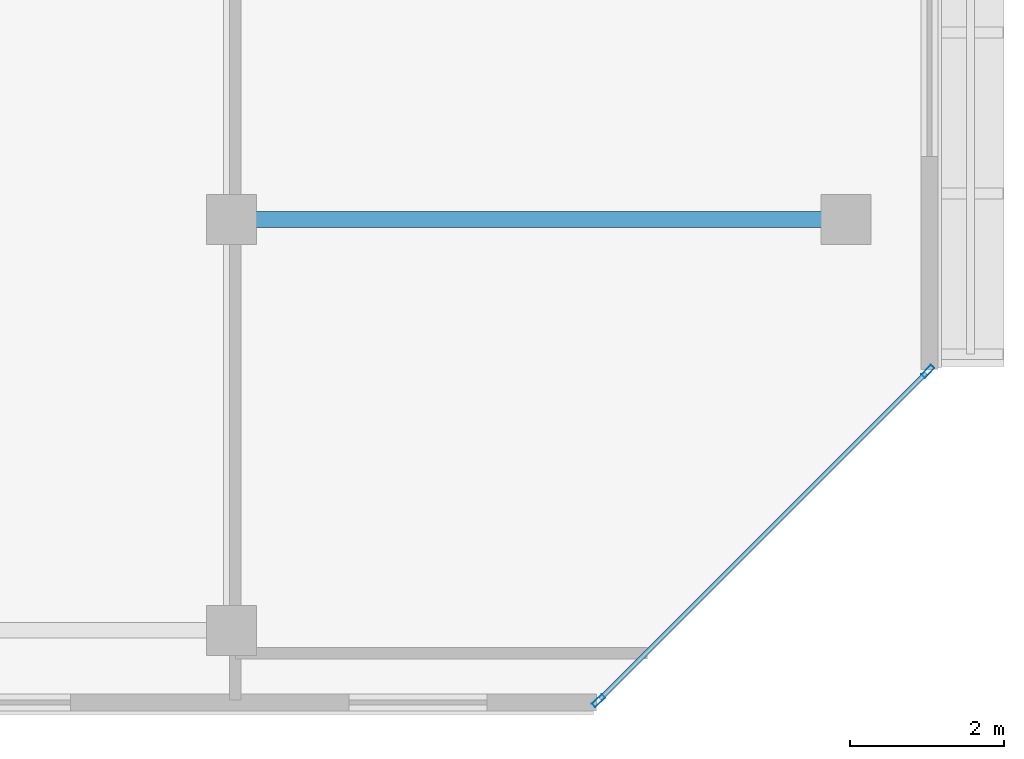
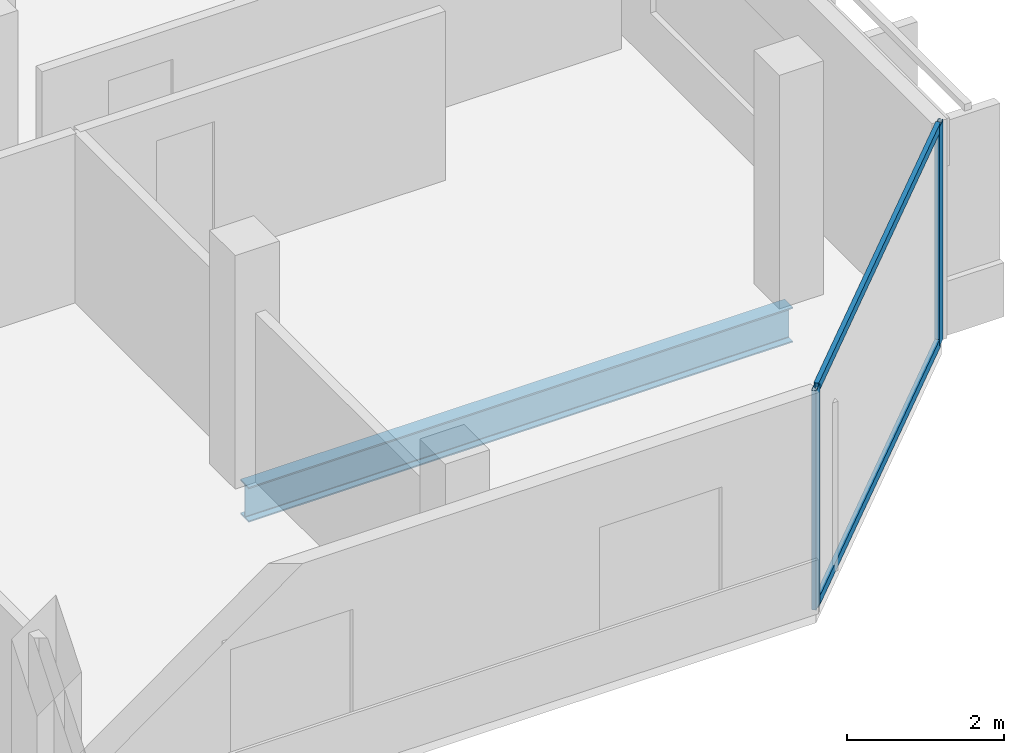
# One storey, part 16 of 28: 4 members, 1 beam, 1 element without a shape of its own.
"""IFC4 building model written with IfcOpenShell, lengths in metres."""

from ifc_helpers import new_model, si_unit, direction, frame, origin, origin_2d, place, context, subcontext, project, spatial, hollow_rectangle, i_section, extrude, material, layer, layer_set, material_profile, profile_set, type_object, element, aggregate, save


model = new_model("IFC4")

# Units and contexts
model_context = context("Model", 3, precision=1e-05, world=origin(), true_north=direction((0.0, 1.0)))
body_context = subcontext(model_context, "Body", "Model", "MODEL_VIEW")
ifc_project = project(units=[si_unit("LENGTHUNIT", "METRE"), si_unit("AREAUNIT", "SQUARE_METRE"), si_unit("VOLUMEUNIT", "CUBIC_METRE"), si_unit("PLANEANGLEUNIT", "RADIAN"), si_unit("MASSUNIT", "GRAM", prefix="KILO")], contexts=[model_context])

# Site, building, storey
site_placement = place(None, origin())
site = spatial("IfcSite", under=ifc_project, at=site_placement, CompositionType="ELEMENT")
building_placement = place(site_placement, origin())
building = spatial("IfcBuilding", under=site, at=building_placement, Name="Tanjung Sevakor Pilgrim Tower", CompositionType="ELEMENT")
storey_placement = place(building_placement, frame((0.0, 0.0, 246.179931640625)))
storey = spatial("IfcBuildingStorey", under=building, at=storey_placement, Name="L69", CompositionType="ELEMENT", Elevation=246.179931640625)

# Beam
ifc_material_1 = material(Name="Steel S355J2", Category="steel")
ifc_material_profile_1 = material_profile(ifc_material_1, i_section(OverallWidth=0.2119140625, OverallDepth=0.54443359375, WebThickness=0.0126953125, FlangeThickness=0.021240234375, FilletRadius=0.0126953125, at=origin_2d()))
ifc_profile_set_1 = profile_set([ifc_material_profile_1], Name="Steel S355J2")
beam_type = type_object("IfcBeamType", Name="BM-B-G5-UB_533x210x122", PredefinedType="BEAM", material=ifc_profile_set_1)
beam_placement = place(storey_placement, frame((90.0, 18.60009765625, -0.4921875), z_axis=(1.0, 0.0, 0.0), x_axis=(0.0, 1.0, 0.0)))
element("IfcBeam", 1, at=beam_placement, inside=storey, type_object=beam_type, Name="L69 East Peak Wing Girder Y18.6", PredefinedType="BEAM", context=body_context, shape_type="SweptSolid", body=[
    extrude(i_section(OverallWidth=0.2119140625, OverallDepth=0.54443359375, WebThickness=0.0126953125, FlangeThickness=0.021240234375, FilletRadius=0.0126953125, at=origin_2d()), origin(), (0.0, 0.0, 1.0), 8.0),
])

# Curtain wall, members
ifc_material_2 = material(Name="Aluminium 6063-T6 and Low-E Glass", Category="aluminium")
ifc_layer = layer(ifc_material_2, 0.179931640625)
ifc_layer_set = layer_set([ifc_layer], Name="CW-SYS-CHAM")
curtain_wall_type = type_object("IfcCurtainWallType", Name="CW-SYS-CHAM", PredefinedType="NOTDEFINED", material=ifc_layer_set)
curtain_wall_placement = place(storey_placement, origin())
curtain_wall = element("IfcCurtainWall", 2, at=curtain_wall_placement, inside=storey, type_object=curtain_wall_type, Name="L69 Curtain Wall CW-CHM-L69-EAST-1", PredefinedType="NOTDEFINED")
ifc_material_3 = material(Name="Aluminium 6063-T6", Category="aluminium")
ifc_material_profile_2 = material_profile(ifc_material_3, hollow_rectangle(XDim=0.06494140625, YDim=0.179931640625, WallThickness=0.00390625, at=origin_2d()))
ifc_profile_set_2 = profile_set([ifc_material_profile_2], Name="Aluminium 6063-T6")
member_type_1 = type_object("IfcMemberType", Name="TYPE-CWM-1", PredefinedType="MULLION", material=ifc_profile_set_2)
member_1_placement = place(storey_placement, frame((94.77734375, 12.3330078125, 0.0), z_axis=(0.0, 0.0, 1.0), x_axis=(-0.707106781187, 0.707106781187, 0.0)))
member_1 = element("IfcMember", 3, at=member_1_placement, type_object=member_type_1, Name="CW-CHM mullion 1", PredefinedType="MULLION", context=body_context, shape_type="SweptSolid", body=[
    extrude(hollow_rectangle(XDim=0.06494140625, YDim=0.179931640625, WallThickness=0.00390625, at=origin_2d()), origin(), (0.0, 0.0, 1.0), 3.41015625),
])
member_2_placement = place(storey_placement, frame((99.067138671875, 16.62255859375, 0.0), z_axis=(0.0, 0.0, 1.0), x_axis=(-0.707106781187, 0.707106781187, 0.0)))
member_2 = element("IfcMember", 4, at=member_2_placement, type_object=member_type_1, Name="CW-CHM mullion 2", PredefinedType="MULLION", context=body_context, shape_type="SweptSolid", body=[
    extrude(hollow_rectangle(XDim=0.06494140625, YDim=0.179931640625, WallThickness=0.00390625, at=origin_2d()), origin(), (0.0, 0.0, 1.0), 3.41015625),
])
ifc_material_4 = material(Name="Aluminium 6063-T6", Category="aluminium")
ifc_material_profile_3 = material_profile(ifc_material_4, hollow_rectangle(XDim=0.06494140625, YDim=0.139892578125, WallThickness=0.00390625, at=origin_2d()))
ifc_profile_set_3 = profile_set([ifc_material_profile_3], Name="Aluminium 6063-T6")
member_type_2 = type_object("IfcMemberType", Name="TYPE-CWT-1", PredefinedType="USERDEFINED", material=ifc_profile_set_3)
member_3_placement = place(storey_placement, frame((94.80029296875, 12.35595703125, 0.032470703125), z_axis=(0.707106781187, 0.707106781187, 0.0), x_axis=(-0.707106781187, 0.707106781187, 0.0)))
member_3 = element("IfcMember", 5, at=member_3_placement, type_object=member_type_2, Name="CW-CHM transom 1.1", ObjectType="TRANSOM", PredefinedType="USERDEFINED", context=body_context, shape_type="SweptSolid", body=[
    extrude(hollow_rectangle(XDim=0.06494140625, YDim=0.139892578125, WallThickness=0.00390625, at=origin_2d()), origin(), (0.0, 0.0, 1.0), 6.00146484375),
])
member_4_placement = place(storey_placement, frame((94.80029296875, 12.35595703125, 3.377685546875), z_axis=(0.707106781187, 0.707106781187, 0.0), x_axis=(-0.707106781187, 0.707106781187, 0.0)))
member_4 = element("IfcMember", 6, at=member_4_placement, type_object=member_type_2, Name="CW-CHM transom 1.2", ObjectType="TRANSOM", PredefinedType="USERDEFINED", context=body_context, shape_type="SweptSolid", body=[
    extrude(hollow_rectangle(XDim=0.06494140625, YDim=0.139892578125, WallThickness=0.00390625, at=origin_2d()), origin(), (0.0, 0.0, 1.0), 6.00146484375),
])
aggregate(curtain_wall, [member_1, member_2, member_3, member_4])

save(model, "model.ifc")
